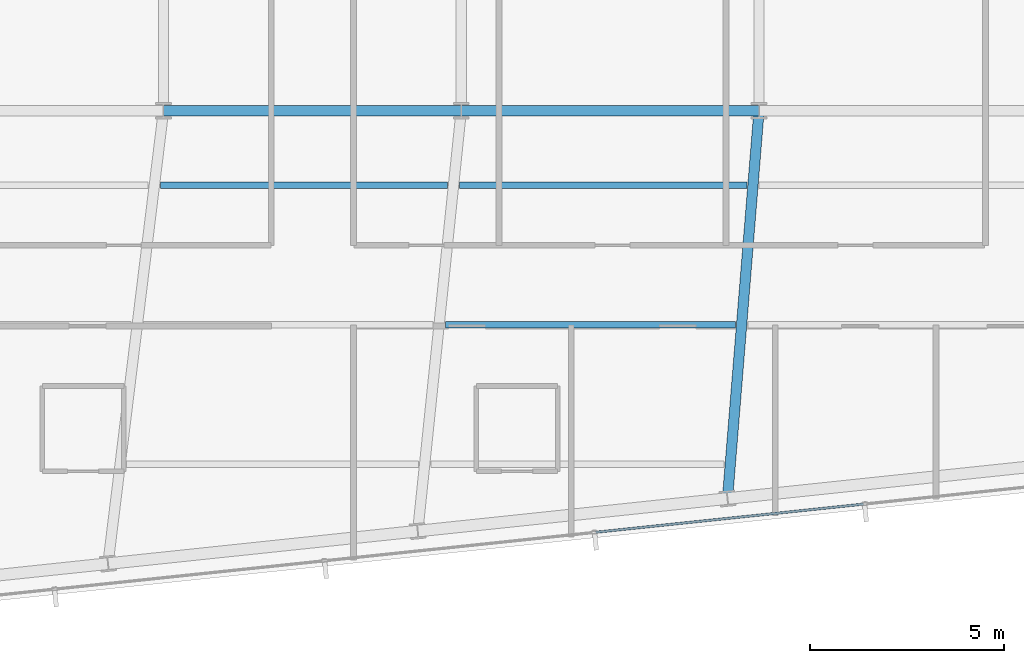
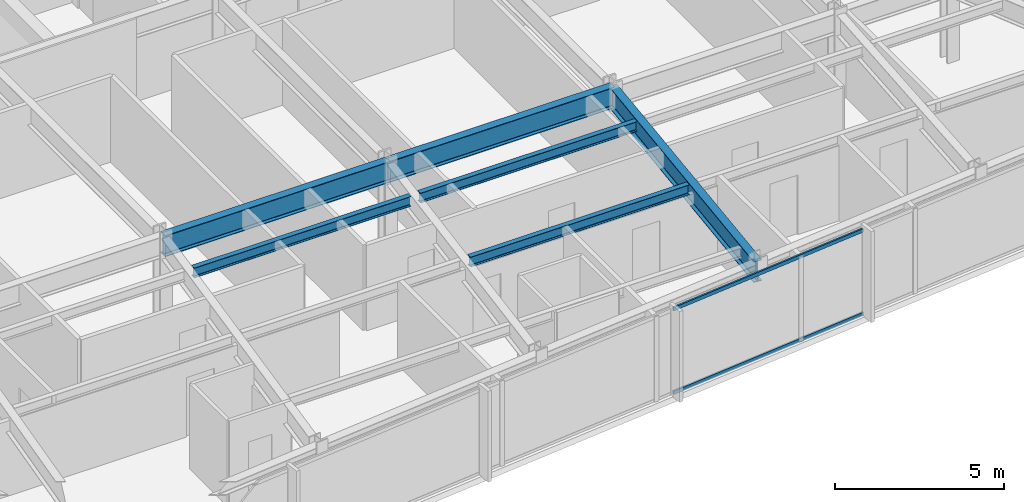
# One storey, part 9 of 32: 6 beams, 2 members, 1 element without a shape of its own.
"""IFC4 building model written with IfcOpenShell, lengths in metres."""

from ifc_helpers import new_model, si_unit, direction, frame, origin, origin_2d, place, context, subcontext, project, spatial, hollow_rectangle, i_section, extrude, material, material_profile, profile_set, type_object, element, aggregate, save


model = new_model("IFC4")

# Units and contexts
model_context = context("Model", 3, precision=1e-05, world=origin(), true_north=direction((0.0, 1.0)))
body_context = subcontext(model_context, "Body", "Model", "MODEL_VIEW")
ifc_project = project(units=[si_unit("LENGTHUNIT", "METRE"), si_unit("AREAUNIT", "SQUARE_METRE"), si_unit("VOLUMEUNIT", "CUBIC_METRE"), si_unit("PLANEANGLEUNIT", "RADIAN"), si_unit("MASSUNIT", "GRAM", prefix="KILO")], contexts=[model_context])

# Site, building, storey
site_placement = place(None, origin())
site = spatial("IfcSite", under=ifc_project, at=site_placement, CompositionType="ELEMENT")
building_placement = place(site_placement, origin())
building = spatial("IfcBuilding", under=site, at=building_placement, Name="Yelkora Congress Tower", CompositionType="ELEMENT")
storey_placement = place(building_placement, frame((0.0, 0.0, 211.10009765625)))
storey = spatial("IfcBuildingStorey", under=building, at=storey_placement, Name="L58", CompositionType="ELEMENT", Elevation=211.10009765625)

# Beams
ifc_material_1 = material(Name="Steel S355J2", Category="steel")
ifc_material_profile_1 = material_profile(ifc_material_1, i_section(OverallWidth=0.26708984375, OverallDepth=0.761962890625, WebThickness=0.014404296875, FlangeThickness=0.021484375, FilletRadius=0.01708984375, at=origin_2d()), Name="IPE 750x173")
ifc_profile_set_1 = profile_set([ifc_material_profile_1], Name="Steel S355J2")
beam_type_1 = type_object("IfcBeamType", Name="BM-GIRD-IPE750", PredefinedType="BEAM", material=ifc_profile_set_1)
beam_1_placement = place(storey_placement, frame((30.719970703125, 25.199951171875, 2.698974609375), z_axis=(1.0, 0.0, 0.0), x_axis=(0.0, 1.0, 0.0)))
element("IfcBeam", 1, at=beam_1_placement, inside=storey, type_object=beam_type_1, Name="L58 Spine Grid D Girder 3", PredefinedType="BEAM", context=body_context, shape_type="SweptSolid", body=[
    extrude(i_section(OverallWidth=0.26708984375, OverallDepth=0.761962890625, WebThickness=0.014404296875, FlangeThickness=0.021484375, FilletRadius=0.01708984375, at=origin_2d()), origin(), (0.0, 0.0, 1.0), 7.679931640625),
])
beam_2_placement = place(storey_placement, frame((38.39990234375, 25.199951171875, 2.698974609375), z_axis=(1.0, 0.0, 0.0), x_axis=(0.0, 1.0, 0.0)))
element("IfcBeam", 2, at=beam_2_placement, inside=storey, type_object=beam_type_1, Name="L58 Spine Grid D Girder 4", PredefinedType="BEAM", context=body_context, shape_type="SweptSolid", body=[
    extrude(i_section(OverallWidth=0.26708984375, OverallDepth=0.761962890625, WebThickness=0.014404296875, FlangeThickness=0.021484375, FilletRadius=0.01708984375, at=origin_2d()), origin(), (0.0, 0.0, 1.0), 7.68017578125),
])
beam_3_placement = place(storey_placement, frame((45.26708984375, 15.197509765625, 2.698974609375), z_axis=(0.081011831965, 0.996713139816, 0.0), x_axis=(-0.996713139816, 0.081011831965, 0.0)))
element("IfcBeam", 3, at=beam_3_placement, inside=storey, type_object=beam_type_1, Name="L58 Primary Frame Girder S04", PredefinedType="BEAM", context=body_context, shape_type="SweptSolid", body=[
    extrude(i_section(OverallWidth=0.26708984375, OverallDepth=0.761962890625, WebThickness=0.014404296875, FlangeThickness=0.021484375, FilletRadius=0.01708984375, at=origin_2d()), origin(), (0.0, 0.0, 1.0), 10.035400390625),
])
ifc_material_profile_2 = material_profile(ifc_material_1, i_section(OverallWidth=0.169921875, OverallDepth=0.360107421875, WebThickness=0.008056640625, FlangeThickness=0.0126953125, FilletRadius=0.01806640625, at=origin_2d()), Name="IPE 360")
ifc_profile_set_2 = profile_set([ifc_material_profile_2], Name="Steel S355J2")
beam_type_2 = type_object("IfcBeamType", Name="BM-JOIST-IPE360", PredefinedType="JOIST", material=ifc_profile_set_2)
beam_4_placement = place(storey_placement, frame((37.988525390625, 19.678466796875, 2.89990234375), z_axis=(1.0, 0.0, 0.0), x_axis=(0.0, 1.0, 0.0)))
element("IfcBeam", 4, at=beam_4_placement, inside=storey, type_object=beam_type_2, Name="L58 Composite Floor Joist 5", PredefinedType="JOIST", context=body_context, shape_type="SweptSolid", body=[
    extrude(i_section(OverallWidth=0.169921875, OverallDepth=0.360107421875, WebThickness=0.008056640625, FlangeThickness=0.0126953125, FilletRadius=0.01806640625, at=origin_2d()), origin(), (0.0, 0.0, 1.0), 7.482666015625),
])
beam_5_placement = place(storey_placement, frame((30.64453125, 23.278564453125, 2.89990234375), z_axis=(1.0, 0.0, 0.0), x_axis=(0.0, 1.0, 0.0)))
element("IfcBeam", 5, at=beam_5_placement, inside=storey, type_object=beam_type_2, Name="L58 Composite Floor Joist 10", PredefinedType="JOIST", context=body_context, shape_type="SweptSolid", body=[
    extrude(i_section(OverallWidth=0.169921875, OverallDepth=0.360107421875, WebThickness=0.008056640625, FlangeThickness=0.0126953125, FilletRadius=0.01806640625, at=origin_2d()), origin(), (0.0, 0.0, 1.0), 7.396484375),
])
beam_6_placement = place(storey_placement, frame((38.361083984375, 23.278564453125, 2.89990234375), z_axis=(1.0, 0.0, 0.0), x_axis=(0.0, 1.0, 0.0)))
element("IfcBeam", 6, at=beam_6_placement, inside=storey, type_object=beam_type_2, Name="L58 Composite Floor Joist 11", PredefinedType="JOIST", context=body_context, shape_type="SweptSolid", body=[
    extrude(i_section(OverallWidth=0.169921875, OverallDepth=0.360107421875, WebThickness=0.008056640625, FlangeThickness=0.0126953125, FilletRadius=0.01806640625, at=origin_2d()), origin(), (0.0, 0.0, 1.0), 7.40283203125),
])

# Curtain wall, members
ifc_material_2 = material(Name="Anodised aluminium and insulated glass", Category="aluminium")
curtain_wall_type = type_object("IfcCurtainWallType", Name="CW-SYS-B4", PredefinedType="NOTDEFINED", material=ifc_material_2)
curtain_wall_placement = place(storey_placement, origin())
curtain_wall = element("IfcCurtainWall", 7, at=curtain_wall_placement, inside=storey, type_object=curtain_wall_type, Name="L58 Unitised Curtain Wall 20", PredefinedType="NOTDEFINED")
ifc_material_3 = material(Name="Anodised aluminium 6063-T6", Category="aluminium")
ifc_material_profile_3 = material_profile(ifc_material_3, hollow_rectangle(XDim=0.06005859375, YDim=0.1298828125, WallThickness=0.00390625, at=origin_2d()), Name="ALU 60x130x4")
ifc_profile_set_3 = profile_set([ifc_material_profile_3], Name="Anodised aluminium 6063-T6")
member_type = type_object("IfcMemberType", Name="MEM-TR-B4", PredefinedType="USERDEFINED", material=ifc_profile_set_3)
member_1_placement = place(storey_placement, frame((48.770263671875, 15.052978515625, 0.02978515625), z_axis=(-0.99452356298, -0.104512595784, 0.0), x_axis=(0.104512595784, -0.99452356298, 0.0)))
member_1 = element("IfcMember", 8, at=member_1_placement, type_object=member_type, Name="CW-B4 transom 4.1", ObjectType="TRANSOM", PredefinedType="USERDEFINED", context=body_context, shape_type="SweptSolid", body=[
    extrude(hollow_rectangle(XDim=0.06005859375, YDim=0.1298828125, WallThickness=0.00390625, at=origin_2d()), origin(), (0.0, 0.0, 1.0), 6.93798828125),
])
member_2_placement = place(storey_placement, frame((48.770263671875, 15.052978515625, 3.0498046875), z_axis=(-0.99452356298, -0.104512595784, 0.0), x_axis=(0.104512595784, -0.99452356298, 0.0)))
member_2 = element("IfcMember", 9, at=member_2_placement, type_object=member_type, Name="CW-B4 transom 4.2", ObjectType="TRANSOM", PredefinedType="USERDEFINED", context=body_context, shape_type="SweptSolid", body=[
    extrude(hollow_rectangle(XDim=0.06005859375, YDim=0.1298828125, WallThickness=0.00390625, at=origin_2d()), origin(), (0.0, 0.0, 1.0), 6.93798828125),
])
aggregate(curtain_wall, [member_1, member_2])

save(model, "model.ifc")
